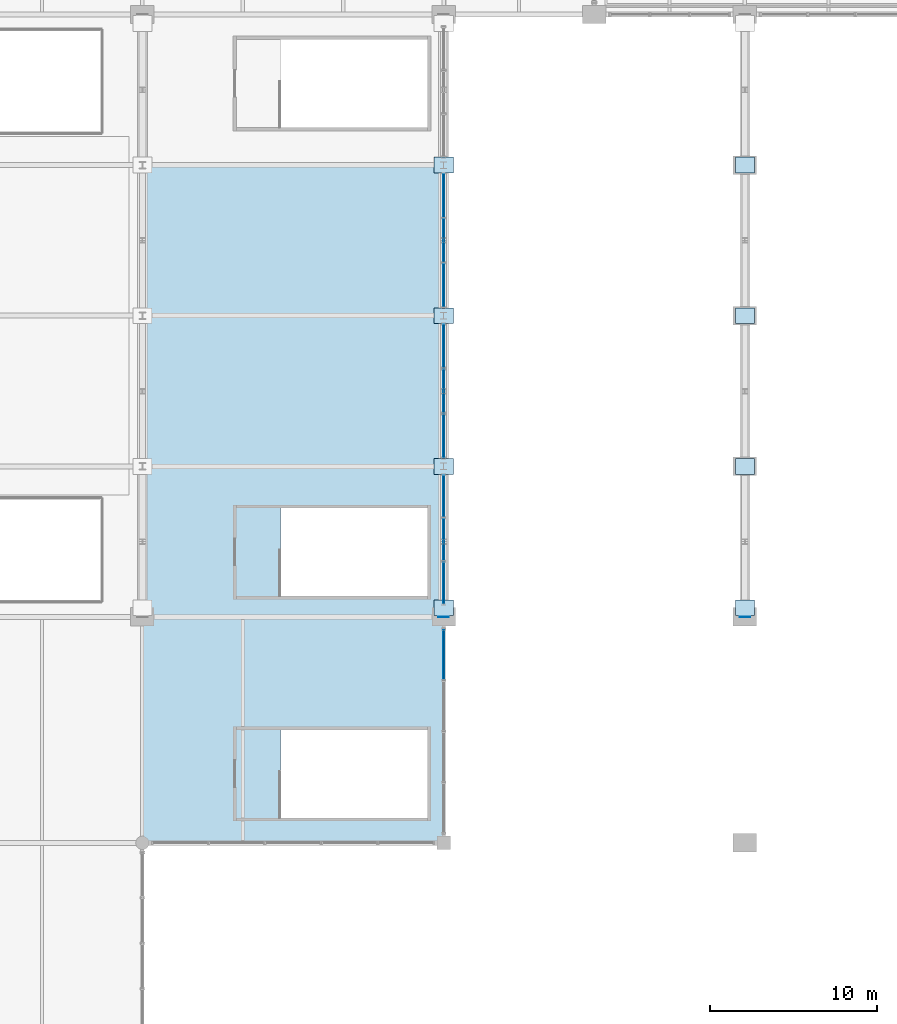
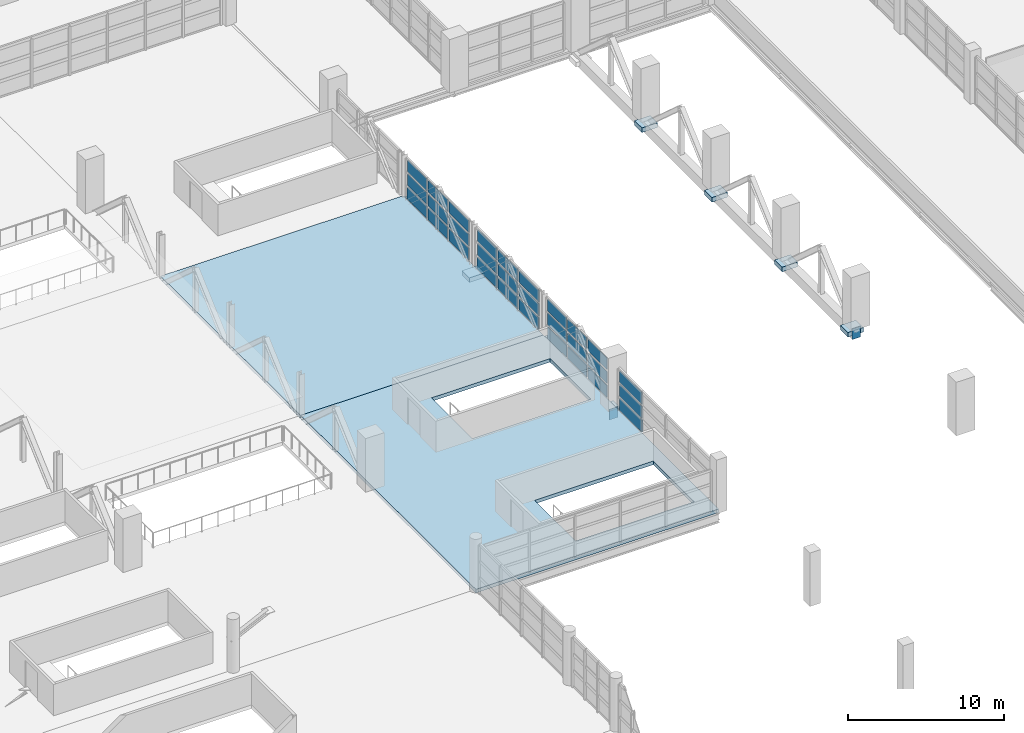
# One storey, part 107 of 136: 40 plates, 2 slabs, 4 elements without a shape of their own.
"""IFC4 building model written with IfcOpenShell, lengths in metres."""

from ifc_helpers import new_model, si_unit, direction, frame, origin, origin_2d, place, context, subcontext, project, spatial, polyline, rectangle, outline, extrude, material, layer, layer_set, type_object, element, aggregate, save


model = new_model("IFC4")

# Units and contexts
model_context = context("Model", 3, precision=1e-05, world=origin(), true_north=direction((0.0, 1.0)))
body_context = subcontext(model_context, "Body", "Model", "MODEL_VIEW")
ifc_project = project(units=[si_unit("LENGTHUNIT", "METRE"), si_unit("AREAUNIT", "SQUARE_METRE"), si_unit("VOLUMEUNIT", "CUBIC_METRE"), si_unit("PLANEANGLEUNIT", "RADIAN"), si_unit("MASSUNIT", "GRAM", prefix="KILO")], contexts=[model_context])

# Site, building, storey
site_placement = place(None, origin())
site = spatial("IfcSite", under=ifc_project, at=site_placement, CompositionType="ELEMENT")
building_placement = place(site_placement, origin())
building = spatial("IfcBuilding", under=site, at=building_placement, Name="Chuanluo Vaults Station", CompositionType="ELEMENT")
storey_placement = place(building_placement, frame((0.0, 0.0, 6.60009765625)))
storey = spatial("IfcBuildingStorey", under=building, at=storey_placement, Name="L01", CompositionType="ELEMENT", Elevation=6.60009765625)

# Curtain wall, plate
ifc_material_1 = material(Name="Anodised aluminium 6063-T6", Category="aluminium")
curtain_wall_type_1 = type_object("IfcCurtainWallType", Name="CW-SYS-22", PredefinedType="NOTDEFINED", material=ifc_material_1)
curtain_wall_1_placement = place(storey_placement, origin())
curtain_wall_1 = element("IfcCurtainWall", 1, at=curtain_wall_1_placement, inside=storey, type_object=curtain_wall_type_1, Name="Over-track east hall CW 54", PredefinedType="NOTDEFINED")
ifc_material_2 = material(Name="Ceramic-fritted spandrel glass", Category="glass")
ifc_layer_1 = layer(ifc_material_2, 0.070068359375)
ifc_layer_set_1 = layer_set([ifc_layer_1], Name="Ceramic-fritted spandrel glass")
plate_type_1 = type_object("IfcPlateType", Name="CWP-SPN-50", PredefinedType="SHEET", material=ifc_layer_set_1)
plate_1_placement = place(storey_placement, frame((108.0, 65.25, 0.079833984375), z_axis=(0.0, 0.0, 1.0), x_axis=(0.0, -1.0, 0.0)))
plate_1 = element("IfcPlate", 2, at=plate_1_placement, type_object=plate_type_1, Name="Over-track east hall CW 54 glazed panel 1.1", PredefinedType="SHEET", context=body_context, shape_type="SweptSolid", body=[
    extrude(rectangle(XDim=2.889892578125, YDim=0.070068359375, at=origin_2d()), origin(), (0.0, 0.0, 1.0), 0.92333984375),
])

# Curtain wall, plates
ifc_material_3 = material(Name="Anodised aluminium 6063-T6", Category="aluminium")
curtain_wall_type_2 = type_object("IfcCurtainWallType", Name="CW-SYS-24", PredefinedType="NOTDEFINED", material=ifc_material_3)
curtain_wall_2_placement = place(storey_placement, origin())
curtain_wall_2 = element("IfcCurtainWall", 3, at=curtain_wall_2_placement, inside=storey, type_object=curtain_wall_type_2, Name="Over-track east hall CW 67", PredefinedType="NOTDEFINED")
plate_2_placement = place(storey_placement, frame((108.0, 74.72509765625, 0.079833984375), z_axis=(0.0, 0.0, 1.0), x_axis=(0.0, -1.0, 0.0)))
plate_2 = element("IfcPlate", 4, at=plate_2_placement, type_object=plate_type_1, Name="Over-track east hall CW 67 glazed panel 1.1", PredefinedType="SHEET", context=body_context, shape_type="SweptSolid", body=[
    extrude(rectangle(XDim=2.43994140625, YDim=0.070068359375, at=origin_2d()), origin(), (0.0, 0.0, 1.0), 0.92333984375),
])
plate_3_placement = place(storey_placement, frame((108.0, 72.125, 0.079833984375), z_axis=(0.0, 0.0, 1.0), x_axis=(0.0, -1.0, 0.0)))
plate_3 = element("IfcPlate", 5, at=plate_3_placement, type_object=plate_type_1, Name="Over-track east hall CW 67 glazed panel 2.1", PredefinedType="SHEET", context=body_context, shape_type="SweptSolid", body=[
    extrude(rectangle(XDim=2.43994140625, YDim=0.070068359375, at=origin_2d()), origin(), (0.0, 0.0, 1.0), 0.92333984375),
])
plate_4_placement = place(storey_placement, frame((108.0, 69.52490234375, 0.079833984375), z_axis=(0.0, 0.0, 1.0), x_axis=(0.0, -1.0, 0.0)))
plate_4 = element("IfcPlate", 6, at=plate_4_placement, type_object=plate_type_1, Name="Over-track east hall CW 67 glazed panel 3.1", PredefinedType="SHEET", context=body_context, shape_type="SweptSolid", body=[
    extrude(rectangle(XDim=2.43994140625, YDim=0.070068359375, at=origin_2d()), origin(), (0.0, 0.0, 1.0), 0.92333984375),
])

ifc_material_4 = material(Name="Anodised aluminium 6063-T6", Category="aluminium")
curtain_wall_type_3 = type_object("IfcCurtainWallType", Name="CW-SYS-26", PredefinedType="NOTDEFINED", material=ifc_material_4)
curtain_wall_3_placement = place(storey_placement, origin())
curtain_wall_3 = element("IfcCurtainWall", 7, at=curtain_wall_3_placement, inside=storey, type_object=curtain_wall_type_3, Name="Over-track east hall CW 76", PredefinedType="NOTDEFINED")
plate_5_placement = place(storey_placement, frame((108.0, 83.683349609375, 0.079833984375), z_axis=(0.0, 0.0, 1.0), x_axis=(0.0, -1.0, 0.0)))
plate_5 = element("IfcPlate", 8, at=plate_5_placement, type_object=plate_type_1, Name="Over-track east hall CW 76 glazed panel 1.1", PredefinedType="SHEET", context=body_context, shape_type="SweptSolid", body=[
    extrude(rectangle(XDim=2.523193359375, YDim=0.070068359375, at=origin_2d()), origin(), (0.0, 0.0, 1.0), 0.92333984375),
])
plate_6_placement = place(storey_placement, frame((108.0, 81.0, 0.079833984375), z_axis=(0.0, 0.0, 1.0), x_axis=(0.0, -1.0, 0.0)))
plate_6 = element("IfcPlate", 9, at=plate_6_placement, type_object=plate_type_1, Name="Over-track east hall CW 76 glazed panel 2.1", PredefinedType="SHEET", context=body_context, shape_type="SweptSolid", body=[
    extrude(rectangle(XDim=2.523193359375, YDim=0.070068359375, at=origin_2d()), origin(), (0.0, 0.0, 1.0), 0.92333984375),
])
plate_7_placement = place(storey_placement, frame((108.0, 78.316650390625, 0.079833984375), z_axis=(0.0, 0.0, 1.0), x_axis=(0.0, -1.0, 0.0)))
plate_7 = element("IfcPlate", 10, at=plate_7_placement, type_object=plate_type_1, Name="Over-track east hall CW 76 glazed panel 3.1", PredefinedType="SHEET", context=body_context, shape_type="SweptSolid", body=[
    extrude(rectangle(XDim=2.523193359375, YDim=0.070068359375, at=origin_2d()), origin(), (0.0, 0.0, 1.0), 0.92333984375),
])

ifc_material_5 = material(Name="Anodised aluminium 6063-T6", Category="aluminium")
curtain_wall_type_4 = type_object("IfcCurtainWallType", Name="CW-SYS-28", PredefinedType="NOTDEFINED", material=ifc_material_5)
curtain_wall_4_placement = place(storey_placement, origin())
curtain_wall_4 = element("IfcCurtainWall", 11, at=curtain_wall_4_placement, inside=storey, type_object=curtain_wall_type_4, Name="Over-track east hall CW 85", PredefinedType="NOTDEFINED")
plate_8_placement = place(storey_placement, frame((108.0, 92.683349609375, 0.079833984375), z_axis=(0.0, 0.0, 1.0), x_axis=(0.0, -1.0, 0.0)))
plate_8 = element("IfcPlate", 12, at=plate_8_placement, type_object=plate_type_1, Name="Over-track east hall CW 85 glazed panel 1.1", PredefinedType="SHEET", context=body_context, shape_type="SweptSolid", body=[
    extrude(rectangle(XDim=2.523193359375, YDim=0.070068359375, at=origin_2d()), origin(), (0.0, 0.0, 1.0), 0.92333984375),
])
plate_9_placement = place(storey_placement, frame((108.0, 90.0, 0.079833984375), z_axis=(0.0, 0.0, 1.0), x_axis=(0.0, -1.0, 0.0)))
plate_9 = element("IfcPlate", 13, at=plate_9_placement, type_object=plate_type_1, Name="Over-track east hall CW 85 glazed panel 2.1", PredefinedType="SHEET", context=body_context, shape_type="SweptSolid", body=[
    extrude(rectangle(XDim=2.523193359375, YDim=0.070068359375, at=origin_2d()), origin(), (0.0, 0.0, 1.0), 0.92333984375),
])
plate_10_placement = place(storey_placement, frame((108.0, 87.316650390625, 0.079833984375), z_axis=(0.0, 0.0, 1.0), x_axis=(0.0, -1.0, 0.0)))
plate_10 = element("IfcPlate", 14, at=plate_10_placement, type_object=plate_type_1, Name="Over-track east hall CW 85 glazed panel 3.1", PredefinedType="SHEET", context=body_context, shape_type="SweptSolid", body=[
    extrude(rectangle(XDim=2.523193359375, YDim=0.070068359375, at=origin_2d()), origin(), (0.0, 0.0, 1.0), 0.92333984375),
])

# Plate
ifc_material_6 = material(Name="Double-silver Low-E laminated glass", Category="glass")
ifc_layer_2 = layer(ifc_material_6, 0.0439453125)
ifc_layer_set_2 = layer_set([ifc_layer_2], Name="Double-silver Low-E laminated glass")
plate_type_2 = type_object("IfcPlateType", Name="CWP-VIS-28", PredefinedType="CURTAIN_PANEL", material=ifc_layer_set_2)
plate_11_placement = place(storey_placement, frame((108.0, 74.72509765625, 1.163330078125), z_axis=(0.0, 0.0, 1.0), x_axis=(0.0, -1.0, 0.0)))
plate_11 = element("IfcPlate", 15, at=plate_11_placement, type_object=plate_type_2, Name="Over-track east hall CW 67 glazed panel 1.2", PredefinedType="CURTAIN_PANEL", context=body_context, shape_type="SweptSolid", body=[
    extrude(rectangle(XDim=2.43994140625, YDim=0.0439453125, at=origin_2d()), origin(), (0.0, 0.0, 1.0), 0.92333984375),
])

plate_12_placement = place(storey_placement, frame((108.0, 74.72509765625, 2.24658203125), z_axis=(0.0, 0.0, 1.0), x_axis=(0.0, -1.0, 0.0)))
plate_12 = element("IfcPlate", 16, at=plate_12_placement, type_object=plate_type_2, Name="Over-track east hall CW 67 glazed panel 1.3", PredefinedType="CURTAIN_PANEL", context=body_context, shape_type="SweptSolid", body=[
    extrude(rectangle(XDim=2.43994140625, YDim=0.0439453125, at=origin_2d()), origin(), (0.0, 0.0, 1.0), 0.92333984375),
])

plate_13_placement = place(storey_placement, frame((108.0, 72.125, 1.163330078125), z_axis=(0.0, 0.0, 1.0), x_axis=(0.0, -1.0, 0.0)))
plate_13 = element("IfcPlate", 17, at=plate_13_placement, type_object=plate_type_2, Name="Over-track east hall CW 67 glazed panel 2.2", PredefinedType="CURTAIN_PANEL", context=body_context, shape_type="SweptSolid", body=[
    extrude(rectangle(XDim=2.43994140625, YDim=0.0439453125, at=origin_2d()), origin(), (0.0, 0.0, 1.0), 0.92333984375),
])

plate_14_placement = place(storey_placement, frame((108.0, 72.125, 2.24658203125), z_axis=(0.0, 0.0, 1.0), x_axis=(0.0, -1.0, 0.0)))
plate_14 = element("IfcPlate", 18, at=plate_14_placement, type_object=plate_type_2, Name="Over-track east hall CW 67 glazed panel 2.3", PredefinedType="CURTAIN_PANEL", context=body_context, shape_type="SweptSolid", body=[
    extrude(rectangle(XDim=2.43994140625, YDim=0.0439453125, at=origin_2d()), origin(), (0.0, 0.0, 1.0), 0.92333984375),
])

plate_15_placement = place(storey_placement, frame((108.0, 69.52490234375, 1.163330078125), z_axis=(0.0, 0.0, 1.0), x_axis=(0.0, -1.0, 0.0)))
plate_15 = element("IfcPlate", 19, at=plate_15_placement, type_object=plate_type_2, Name="Over-track east hall CW 67 glazed panel 3.2", PredefinedType="CURTAIN_PANEL", context=body_context, shape_type="SweptSolid", body=[
    extrude(rectangle(XDim=2.43994140625, YDim=0.0439453125, at=origin_2d()), origin(), (0.0, 0.0, 1.0), 0.92333984375),
])

plate_16_placement = place(storey_placement, frame((108.0, 69.52490234375, 2.24658203125), z_axis=(0.0, 0.0, 1.0), x_axis=(0.0, -1.0, 0.0)))
plate_16 = element("IfcPlate", 20, at=plate_16_placement, type_object=plate_type_2, Name="Over-track east hall CW 67 glazed panel 3.3", PredefinedType="CURTAIN_PANEL", context=body_context, shape_type="SweptSolid", body=[
    extrude(rectangle(XDim=2.43994140625, YDim=0.0439453125, at=origin_2d()), origin(), (0.0, 0.0, 1.0), 0.92333984375),
])

aggregate(curtain_wall_2, [plate_2, plate_11, plate_12, plate_3, plate_13, plate_14, plate_4, plate_15, plate_16])

plate_17_placement = place(storey_placement, frame((108.0, 92.683349609375, 1.163330078125), z_axis=(0.0, 0.0, 1.0), x_axis=(0.0, -1.0, 0.0)))
plate_17 = element("IfcPlate", 21, at=plate_17_placement, type_object=plate_type_2, Name="Over-track east hall CW 85 glazed panel 1.2", PredefinedType="CURTAIN_PANEL", context=body_context, shape_type="SweptSolid", body=[
    extrude(rectangle(XDim=2.523193359375, YDim=0.0439453125, at=origin_2d()), origin(), (0.0, 0.0, 1.0), 0.92333984375),
])

plate_18_placement = place(storey_placement, frame((108.0, 92.683349609375, 2.24658203125), z_axis=(0.0, 0.0, 1.0), x_axis=(0.0, -1.0, 0.0)))
plate_18 = element("IfcPlate", 22, at=plate_18_placement, type_object=plate_type_2, Name="Over-track east hall CW 85 glazed panel 1.3", PredefinedType="CURTAIN_PANEL", context=body_context, shape_type="SweptSolid", body=[
    extrude(rectangle(XDim=2.523193359375, YDim=0.0439453125, at=origin_2d()), origin(), (0.0, 0.0, 1.0), 0.92333984375),
])

plate_19_placement = place(storey_placement, frame((108.0, 90.0, 1.163330078125), z_axis=(0.0, 0.0, 1.0), x_axis=(0.0, -1.0, 0.0)))
plate_19 = element("IfcPlate", 23, at=plate_19_placement, type_object=plate_type_2, Name="Over-track east hall CW 85 glazed panel 2.2", PredefinedType="CURTAIN_PANEL", context=body_context, shape_type="SweptSolid", body=[
    extrude(rectangle(XDim=2.523193359375, YDim=0.0439453125, at=origin_2d()), origin(), (0.0, 0.0, 1.0), 0.92333984375),
])

plate_20_placement = place(storey_placement, frame((108.0, 90.0, 2.24658203125), z_axis=(0.0, 0.0, 1.0), x_axis=(0.0, -1.0, 0.0)))
plate_20 = element("IfcPlate", 24, at=plate_20_placement, type_object=plate_type_2, Name="Over-track east hall CW 85 glazed panel 2.3", PredefinedType="CURTAIN_PANEL", context=body_context, shape_type="SweptSolid", body=[
    extrude(rectangle(XDim=2.523193359375, YDim=0.0439453125, at=origin_2d()), origin(), (0.0, 0.0, 1.0), 0.92333984375),
])

plate_21_placement = place(storey_placement, frame((108.0, 87.316650390625, 1.163330078125), z_axis=(0.0, 0.0, 1.0), x_axis=(0.0, -1.0, 0.0)))
plate_21 = element("IfcPlate", 25, at=plate_21_placement, type_object=plate_type_2, Name="Over-track east hall CW 85 glazed panel 3.2", PredefinedType="CURTAIN_PANEL", context=body_context, shape_type="SweptSolid", body=[
    extrude(rectangle(XDim=2.523193359375, YDim=0.0439453125, at=origin_2d()), origin(), (0.0, 0.0, 1.0), 0.92333984375),
])

plate_22_placement = place(storey_placement, frame((108.0, 87.316650390625, 2.24658203125), z_axis=(0.0, 0.0, 1.0), x_axis=(0.0, -1.0, 0.0)))
plate_22 = element("IfcPlate", 26, at=plate_22_placement, type_object=plate_type_2, Name="Over-track east hall CW 85 glazed panel 3.3", PredefinedType="CURTAIN_PANEL", context=body_context, shape_type="SweptSolid", body=[
    extrude(rectangle(XDim=2.523193359375, YDim=0.0439453125, at=origin_2d()), origin(), (0.0, 0.0, 1.0), 0.92333984375),
])

aggregate(curtain_wall_4, [plate_8, plate_17, plate_18, plate_9, plate_19, plate_20, plate_10, plate_21, plate_22])

ifc_material_7 = material(Name="Double-silver Low-E laminated glass", Category="glass")
ifc_layer_3 = layer(ifc_material_7, 0.053955078125)
ifc_layer_set_3 = layer_set([ifc_layer_3], Name="Double-silver Low-E laminated glass")
plate_type_3 = type_object("IfcPlateType", Name="CWP-VIS-36", PredefinedType="CURTAIN_PANEL", material=ifc_layer_set_3)
plate_23_placement = place(storey_placement, frame((108.0, 65.25, 1.163330078125), z_axis=(0.0, 0.0, 1.0), x_axis=(0.0, -1.0, 0.0)))
plate_23 = element("IfcPlate", 27, at=plate_23_placement, type_object=plate_type_3, Name="Over-track east hall CW 54 glazed panel 1.2", PredefinedType="CURTAIN_PANEL", context=body_context, shape_type="SweptSolid", body=[
    extrude(rectangle(XDim=2.889892578125, YDim=0.053955078125, at=origin_2d()), origin(), (0.0, 0.0, 1.0), 0.92333984375),
])

plate_24_placement = place(storey_placement, frame((108.0, 65.25, 2.24658203125), z_axis=(0.0, 0.0, 1.0), x_axis=(0.0, -1.0, 0.0)))
plate_24 = element("IfcPlate", 28, at=plate_24_placement, type_object=plate_type_3, Name="Over-track east hall CW 54 glazed panel 1.3", PredefinedType="CURTAIN_PANEL", context=body_context, shape_type="SweptSolid", body=[
    extrude(rectangle(XDim=2.889892578125, YDim=0.053955078125, at=origin_2d()), origin(), (0.0, 0.0, 1.0), 0.92333984375),
])

aggregate(curtain_wall_1, [plate_1, plate_23, plate_24])

plate_25_placement = place(storey_placement, frame((108.0, 83.683349609375, 1.163330078125), z_axis=(0.0, 0.0, 1.0), x_axis=(0.0, -1.0, 0.0)))
plate_25 = element("IfcPlate", 29, at=plate_25_placement, type_object=plate_type_3, Name="Over-track east hall CW 76 glazed panel 1.2", PredefinedType="CURTAIN_PANEL", context=body_context, shape_type="SweptSolid", body=[
    extrude(rectangle(XDim=2.523193359375, YDim=0.053955078125, at=origin_2d()), origin(), (0.0, 0.0, 1.0), 0.92333984375),
])

plate_26_placement = place(storey_placement, frame((108.0, 83.683349609375, 2.24658203125), z_axis=(0.0, 0.0, 1.0), x_axis=(0.0, -1.0, 0.0)))
plate_26 = element("IfcPlate", 30, at=plate_26_placement, type_object=plate_type_3, Name="Over-track east hall CW 76 glazed panel 1.3", PredefinedType="CURTAIN_PANEL", context=body_context, shape_type="SweptSolid", body=[
    extrude(rectangle(XDim=2.523193359375, YDim=0.053955078125, at=origin_2d()), origin(), (0.0, 0.0, 1.0), 0.92333984375),
])

plate_27_placement = place(storey_placement, frame((108.0, 81.0, 1.163330078125), z_axis=(0.0, 0.0, 1.0), x_axis=(0.0, -1.0, 0.0)))
plate_27 = element("IfcPlate", 31, at=plate_27_placement, type_object=plate_type_3, Name="Over-track east hall CW 76 glazed panel 2.2", PredefinedType="CURTAIN_PANEL", context=body_context, shape_type="SweptSolid", body=[
    extrude(rectangle(XDim=2.523193359375, YDim=0.053955078125, at=origin_2d()), origin(), (0.0, 0.0, 1.0), 0.92333984375),
])

plate_28_placement = place(storey_placement, frame((108.0, 81.0, 2.24658203125), z_axis=(0.0, 0.0, 1.0), x_axis=(0.0, -1.0, 0.0)))
plate_28 = element("IfcPlate", 32, at=plate_28_placement, type_object=plate_type_3, Name="Over-track east hall CW 76 glazed panel 2.3", PredefinedType="CURTAIN_PANEL", context=body_context, shape_type="SweptSolid", body=[
    extrude(rectangle(XDim=2.523193359375, YDim=0.053955078125, at=origin_2d()), origin(), (0.0, 0.0, 1.0), 0.92333984375),
])

plate_29_placement = place(storey_placement, frame((108.0, 78.316650390625, 1.163330078125), z_axis=(0.0, 0.0, 1.0), x_axis=(0.0, -1.0, 0.0)))
plate_29 = element("IfcPlate", 33, at=plate_29_placement, type_object=plate_type_3, Name="Over-track east hall CW 76 glazed panel 3.2", PredefinedType="CURTAIN_PANEL", context=body_context, shape_type="SweptSolid", body=[
    extrude(rectangle(XDim=2.523193359375, YDim=0.053955078125, at=origin_2d()), origin(), (0.0, 0.0, 1.0), 0.92333984375),
])

plate_30_placement = place(storey_placement, frame((108.0, 78.316650390625, 2.24658203125), z_axis=(0.0, 0.0, 1.0), x_axis=(0.0, -1.0, 0.0)))
plate_30 = element("IfcPlate", 34, at=plate_30_placement, type_object=plate_type_3, Name="Over-track east hall CW 76 glazed panel 3.3", PredefinedType="CURTAIN_PANEL", context=body_context, shape_type="SweptSolid", body=[
    extrude(rectangle(XDim=2.523193359375, YDim=0.053955078125, at=origin_2d()), origin(), (0.0, 0.0, 1.0), 0.92333984375),
])

aggregate(curtain_wall_3, [plate_5, plate_25, plate_26, plate_6, plate_27, plate_28, plate_7, plate_29, plate_30])

# Plates
ifc_material_8 = material(Name="Steel Q390C", Category="steel")
ifc_layer_4 = layer(ifc_material_8, 0.0400390625)
ifc_layer_set_4 = layer_set([ifc_layer_4], Name="Steel Q390C")
plate_type_4 = type_object("IfcPlateType", Name="PLT-BASE-40", PredefinedType="USERDEFINED", material=ifc_layer_set_4)
for number, where, z_axis, x_axis, name in (
    (35, (108.0, 94.5, -0.8603515625), (0.0, 0.0, 1.0), (1.0, 0.0, 0.0), "Structural steel node diaphragm 0034"),
    (36, (126.0, 94.5, -0.8603515625), (0.0, 0.0, 1.0), (1.0, 0.0, 0.0), "Structural steel node diaphragm 0039"),
):
    element("IfcPlate", number, at=place(storey_placement, frame(where, z_axis=z_axis, x_axis=x_axis)), inside=storey, type_object=plate_type_4, Name=name, ObjectType="BASE_PLATE", PredefinedType="USERDEFINED", context=body_context, shape_type="SweptSolid", body=[
        extrude(rectangle(XDim=1.14990234375, YDim=0.949951171875, at=origin_2d()), origin(), (0.0, 0.0, 1.0), 0.360107421875),
    ])
ifc_material_9 = material(Name="Steel Q390C", Category="steel")
ifc_layer_5 = layer(ifc_material_9, 0.02587890625)
ifc_layer_set_5 = layer_set([ifc_layer_5], Name="Steel Q390C")
plate_type_5 = type_object("IfcPlateType", Name="PLT-CAP-26", PredefinedType="USERDEFINED", material=ifc_layer_set_5)
for number, where, z_axis, x_axis, name in (
    (37, (108.0, 67.5, -1.10009765625), (0.0, 0.0, 1.0), (1.0, 0.0, 0.0), "Truss TT-7 bottom chord end cap S"),
    (38, (126.0, 67.5, -1.10009765625), (0.0, 0.0, 1.0), (1.0, 0.0, 0.0), "Truss TT-8 bottom chord end cap S"),
):
    element("IfcPlate", number, at=place(storey_placement, frame(where, z_axis=z_axis, x_axis=x_axis)), inside=storey, type_object=plate_type_5, Name=name, ObjectType="COVER_PLATE", PredefinedType="USERDEFINED", context=body_context, shape_type="SweptSolid", body=[
        extrude(rectangle(XDim=0.639892578125, YDim=0.02587890625, at=origin_2d()), origin(), (0.0, 0.0, 1.0), 0.840087890625),
    ])
ifc_material_10 = material(Name="Steel Q355C", Category="steel")
ifc_layer_6 = layer(ifc_material_10, 0.02001953125)
ifc_layer_set_6 = layer_set([ifc_layer_6], Name="Steel Q355C")
plate_type_6 = type_object("IfcPlateType", Name="PLT-GUS-20", PredefinedType="USERDEFINED", material=ifc_layer_set_6)
for number, where, z_axis, x_axis, name in (
    (39, (108.0, 76.5, -0.8603515625), (0.0, 0.0, 1.0), (1.0, 0.0, 0.0), "Structural steel node diaphragm 0032"),
    (40, (126.0, 76.5, -0.8603515625), (0.0, 0.0, 1.0), (1.0, 0.0, 0.0), "Structural steel node diaphragm 0037"),
):
    element("IfcPlate", number, at=place(storey_placement, frame(where, z_axis=z_axis, x_axis=x_axis)), inside=storey, type_object=plate_type_6, Name=name, ObjectType="STIFFENER_PLATE", PredefinedType="USERDEFINED", context=body_context, shape_type="SweptSolid", body=[
        extrude(rectangle(XDim=1.14990234375, YDim=0.949951171875, at=origin_2d()), origin(), (0.0, 0.0, 1.0), 0.360107421875),
    ])
ifc_material_11 = material(Name="Steel Q390C", Category="steel")
ifc_layer_7 = layer(ifc_material_11, 0.028076171875)
ifc_layer_set_7 = layer_set([ifc_layer_7], Name="Steel Q390C")
plate_type_7 = type_object("IfcPlateType", Name="PLT-GUS-28", PredefinedType="USERDEFINED", material=ifc_layer_set_7)
for number, where, z_axis, x_axis, name in (
    (41, (108.0, 68.050048828125, -0.8603515625), (0.0, 0.0, 1.0), (1.0, 0.0, 0.0), "Structural steel node diaphragm 0031"),
    (42, (126.0, 68.050048828125, -0.8603515625), (0.0, 0.0, 1.0), (1.0, 0.0, 0.0), "Structural steel node diaphragm 0036"),
):
    element("IfcPlate", number, at=place(storey_placement, frame(where, z_axis=z_axis, x_axis=x_axis)), inside=storey, type_object=plate_type_7, Name=name, ObjectType="GUSSET_PLATE", PredefinedType="USERDEFINED", context=body_context, shape_type="SweptSolid", body=[
        extrude(rectangle(XDim=1.14990234375, YDim=0.949951171875, at=origin_2d()), origin(), (0.0, 0.0, 1.0), 0.360107421875),
    ])
ifc_material_12 = material(Name="Steel Q355C", Category="steel")
ifc_layer_8 = layer(ifc_material_12, 0.02197265625)
ifc_layer_set_8 = layer_set([ifc_layer_8], Name="Steel Q355C")
plate_type_8 = type_object("IfcPlateType", Name="PLT-SPL-22", PredefinedType="USERDEFINED", material=ifc_layer_set_8)
for number, where, z_axis, x_axis, name in (
    (43, (108.0, 85.5, -0.8603515625), (0.0, 0.0, 1.0), (1.0, 0.0, 0.0), "Structural steel node diaphragm 0033"),
    (44, (126.0, 85.5, -0.8603515625), (0.0, 0.0, 1.0), (1.0, 0.0, 0.0), "Structural steel node diaphragm 0038"),
):
    element("IfcPlate", number, at=place(storey_placement, frame(where, z_axis=z_axis, x_axis=x_axis)), inside=storey, type_object=plate_type_8, Name=name, ObjectType="SPLICE_PLATE", PredefinedType="USERDEFINED", context=body_context, shape_type="SweptSolid", body=[
        extrude(rectangle(XDim=1.14990234375, YDim=0.949951171875, at=origin_2d()), origin(), (0.0, 0.0, 1.0), 0.360107421875),
    ])

# Slabs
ifc_material_13 = material(Name="Concrete C40", Category="concrete")
ifc_layer_9 = layer(ifc_material_13, 0.280029296875)
ifc_layer_set_9 = layer_set([ifc_layer_9], Name="Concrete C40")
slab_type = type_object("IfcSlabType", Name="SLB-CON-280", PredefinedType="FLOOR", material=ifc_layer_set_9)
slab_1_placement = place(storey_placement, frame((0.0, 0.0, -0.280029296875)))
element("IfcSlab", 45, at=slab_1_placement, inside=storey, type_object=slab_type, Name="L01 OTRK slab 07", PredefinedType="FLOOR", context=body_context, shape_type="SweptSolid", body=[
    extrude(outline(polyline([(90.0, 54.0), (108.0, 54.0), (108.0, 76.5), (90.0, 76.5), (90.0, 54.0)]), holes=[polyline([(98.25390625, 55.5), (107.050048828125, 55.5), (107.050048828125, 60.75), (98.25390625, 60.75), (98.25390625, 55.5)]), polyline([(98.25390625, 68.75), (107.050048828125, 68.75), (107.050048828125, 74.0), (98.25390625, 74.0), (98.25390625, 68.75)])]), origin(), (0.0, 0.0, 1.0), 0.280029296875),
])
slab_2_placement = place(storey_placement, frame((0.0, 0.0, -0.280029296875)))
element("IfcSlab", 46, at=slab_2_placement, inside=storey, type_object=slab_type, Name="L01 OTRK slab 08", PredefinedType="FLOOR", context=body_context, shape_type="SweptSolid", body=[
    extrude(outline(polyline([(90.0, 76.5), (108.0, 76.5), (108.0, 94.5), (90.0, 94.5), (90.0, 76.5)])), origin(), (0.0, 0.0, 1.0), 0.280029296875),
])

save(model, "model.ifc")
